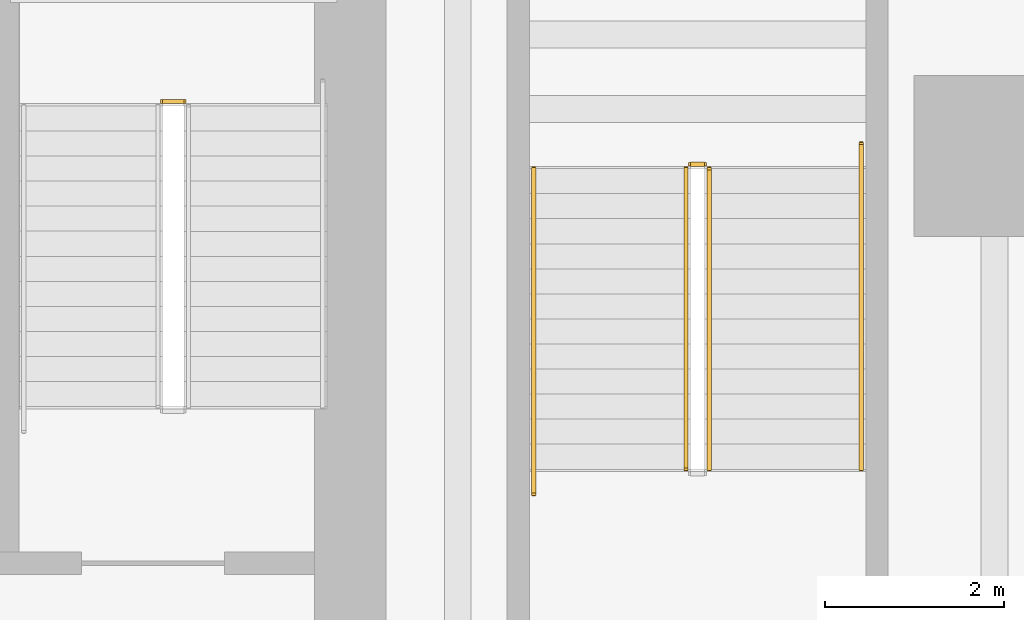
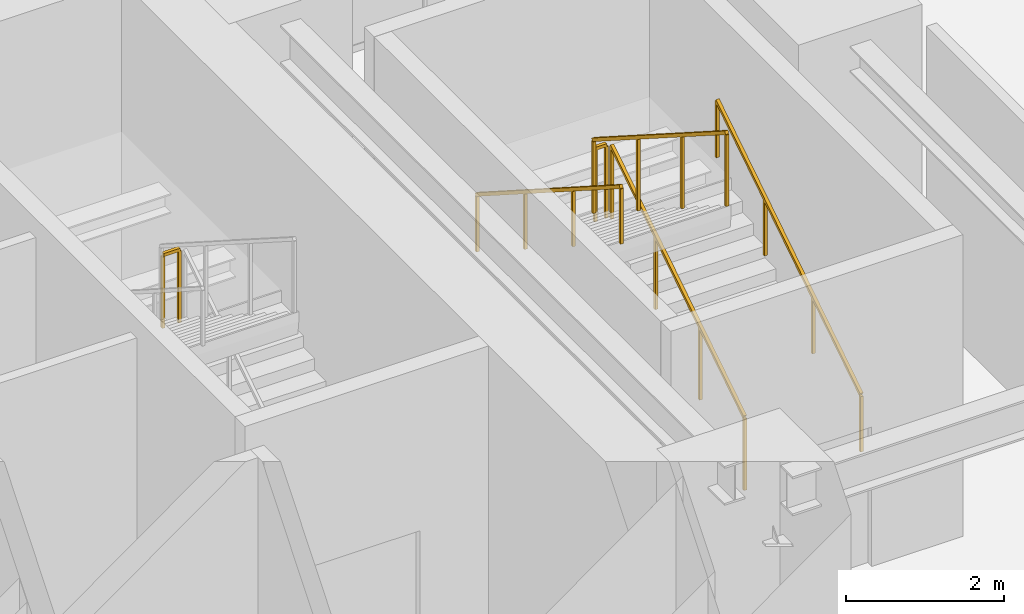
# One storey, part 16 of 17: 6 railings.
"""IFC4 building model written with IfcOpenShell, lengths in metres."""

from ifc_helpers import new_model, si_unit, direction, frame, origin, origin_2d, place, context, subcontext, project, spatial, rectangle, extrude, material, type_object, element, save


model = new_model("IFC4")

# Units and contexts
model_context = context("Model", 3, precision=1e-05, world=origin(), true_north=direction((0.0, 1.0)))
body_context = subcontext(model_context, "Body", "Model", "MODEL_VIEW")
ifc_project = project(units=[si_unit("LENGTHUNIT", "METRE"), si_unit("AREAUNIT", "SQUARE_METRE"), si_unit("VOLUMEUNIT", "CUBIC_METRE"), si_unit("PLANEANGLEUNIT", "RADIAN"), si_unit("MASSUNIT", "GRAM", prefix="KILO")], contexts=[model_context])

# Site, building, storey
site_placement = place(None, origin())
site = spatial("IfcSite", under=ifc_project, at=site_placement, CompositionType="ELEMENT")
building_placement = place(site_placement, origin())
building = spatial("IfcBuilding", under=site, at=building_placement, Name="Sumidabori Civic Tower", CompositionType="ELEMENT")
storey_placement = place(building_placement, frame((0.0, 0.0, 5.0)))
storey = spatial("IfcBuildingStorey", under=building, at=storey_placement, Name="L01", CompositionType="ELEMENT", Elevation=5.0)

# Railings
ifc_material_1 = material(Name="Stainless Steel Hairline Finish", Category="steel")
railing_type_1 = type_object("IfcRailingType", Name="RL-HANDRAIL", PredefinedType="HANDRAIL", material=ifc_material_1)
railing_1_placement = place(storey_placement, frame((21.31005859375, 15.300048828125, 0.178955078125)))
element("IfcRailing", 1, at=railing_1_placement, inside=storey, type_object=railing_type_1, Name="L01 ST-4 stair handrail 1", PredefinedType="HANDRAIL", context=body_context, shape_type="SweptSolid", body=[
    extrude(rectangle(XDim=0.048095703125, YDim=0.048095703125, at=origin_2d()), frame((0.0, 0.0, 0.8759765625), z_axis=(0.0, 0.842367842277, 0.538902976701), x_axis=(-1.0, 0.0, 0.0)), (0.0, 0.0, 1.0), 4.321044921875),
    extrude(rectangle(XDim=0.0419921875, YDim=0.0419921875, at=origin_2d()), origin(), (0.0, 0.0, 1.0), 0.851806640625),
    extrude(rectangle(XDim=0.0419921875, YDim=0.0419921875, at=origin_2d()), frame((0.0, 1.21337890625, 0.776123046875)), (0.0, 0.0, 1.0), 0.851806640625),
    extrude(rectangle(XDim=0.0419921875, YDim=0.0419921875, at=origin_2d()), frame((0.0, 2.426513671875, 1.552490234375)), (0.0, 0.0, 1.0), 0.851806640625),
    extrude(rectangle(XDim=0.0419921875, YDim=0.0419921875, at=origin_2d()), frame((0.0, 3.639892578125, 2.32861328125)), (0.0, 0.0, 1.0), 0.851806640625),
])
railing_2_placement = place(storey_placement, frame((17.64990234375, 18.659912109375, 2.50390625)))
element("IfcRailing", 2, at=railing_2_placement, inside=storey, type_object=railing_type_1, Name="L01 ST-4 stair handrail 2", PredefinedType="HANDRAIL", context=body_context, shape_type="SweptSolid", body=[
    extrude(rectangle(XDim=0.048095703125, YDim=0.048095703125, at=origin_2d()), frame((0.0, 0.0, 0.8759765625), z_axis=(0.0, -0.842367842277, 0.538902976701), x_axis=(1.0, 0.0, 0.0)), (0.0, 0.0, 1.0), 4.321044921875),
    extrude(rectangle(XDim=0.0419921875, YDim=0.0419921875, at=origin_2d()), origin(), (0.0, 0.0, 1.0), 0.851806640625),
    extrude(rectangle(XDim=0.0419921875, YDim=0.0419921875, at=origin_2d()), frame((0.0, -1.21337890625, 0.776123046875)), (0.0, 0.0, 1.0), 0.851806640625),
    extrude(rectangle(XDim=0.0419921875, YDim=0.0419921875, at=origin_2d()), frame((0.0, -2.426513671875, 1.552490234375)), (0.0, 0.0, 1.0), 0.851806640625),
    extrude(rectangle(XDim=0.0419921875, YDim=0.0419921875, at=origin_2d()), frame((0.0, -3.639892578125, 2.32861328125)), (0.0, 0.0, 1.0), 0.851806640625),
])
ifc_material_2 = material(Name="Steel SN490", Category="steel")
railing_type_2 = type_object("IfcRailingType", Name="RL-STAIR-GUARD", PredefinedType="GUARDRAIL", material=ifc_material_2)
railing_3_placement = place(storey_placement, frame((13.739990234375, 19.409912109375, 2.324951171875)))
element("IfcRailing", 3, at=railing_3_placement, inside=storey, type_object=railing_type_2, Name="L01 ST-2 stair guard 2", PredefinedType="GUARDRAIL", context=body_context, shape_type="SweptSolid", body=[
    extrude(rectangle(XDim=0.048095703125, YDim=0.048095703125, at=origin_2d()), frame((0.0, 0.0, 1.1259765625), z_axis=(-1.0, 0.0, 0.0), x_axis=(0.0, -1.0, 0.0)), (0.0, 0.0, 1.0), 0.239990234375),
    extrude(rectangle(XDim=0.0419921875, YDim=0.0419921875, at=origin_2d()), origin(), (0.0, 0.0, 1.0), 1.101806640625),
    extrude(rectangle(XDim=0.0419921875, YDim=0.0419921875, at=origin_2d()), frame((-0.239990234375, 0.0, 0.0)), (0.0, 0.0, 1.0), 1.101806640625),
])
railing_4_placement = place(storey_placement, frame((19.610107421875, 15.300048828125, 0.178955078125)))
element("IfcRailing", 4, at=railing_4_placement, inside=storey, type_object=railing_type_2, Name="L01 ST-4 stair guard 1", PredefinedType="GUARDRAIL", context=body_context, shape_type="SweptSolid", body=[
    extrude(rectangle(XDim=0.048095703125, YDim=0.048095703125, at=origin_2d()), frame((0.0, 0.0, 1.1259765625), z_axis=(0.0, 0.842762625749, 0.538285385869), x_axis=(-1.0, 0.0, 0.0)), (0.0, 0.0, 1.0), 3.98681640625),
    extrude(rectangle(XDim=0.0419921875, YDim=0.0419921875, at=origin_2d()), origin(), (0.0, 0.0, 1.0), 1.101806640625),
    extrude(rectangle(XDim=0.0419921875, YDim=0.0419921875, at=origin_2d()), frame((0.0, 1.119873046875, 0.71533203125)), (0.0, 0.0, 1.0), 1.101806640625),
    extrude(rectangle(XDim=0.0419921875, YDim=0.0419921875, at=origin_2d()), frame((0.0, 2.239990234375, 1.4306640625)), (0.0, 0.0, 1.0), 1.101806640625),
    extrude(rectangle(XDim=0.0419921875, YDim=0.0419921875, at=origin_2d()), frame((0.0, 3.35986328125, 2.14599609375)), (0.0, 0.0, 1.0), 1.101806640625),
])
railing_5_placement = place(storey_placement, frame((19.56005859375, 18.7099609375, 2.324951171875)))
element("IfcRailing", 5, at=railing_5_placement, inside=storey, type_object=railing_type_2, Name="L01 ST-4 stair guard 2", PredefinedType="GUARDRAIL", context=body_context, shape_type="SweptSolid", body=[
    extrude(rectangle(XDim=0.048095703125, YDim=0.048095703125, at=origin_2d()), frame((0.0, 0.0, 1.1259765625), z_axis=(-1.0, 0.0, 0.0), x_axis=(0.0, -1.0, 0.0)), (0.0, 0.0, 1.0), 0.16015625),
    extrude(rectangle(XDim=0.0419921875, YDim=0.0419921875, at=origin_2d()), origin(), (0.0, 0.0, 1.0), 1.101806640625),
    extrude(rectangle(XDim=0.0419921875, YDim=0.0419921875, at=origin_2d()), frame((-0.16015625, 0.0, 0.0)), (0.0, 0.0, 1.0), 1.101806640625),
])
railing_6_placement = place(storey_placement, frame((19.35009765625, 18.659912109375, 2.50390625)))
element("IfcRailing", 6, at=railing_6_placement, inside=storey, type_object=railing_type_2, Name="L01 ST-4 stair guard 3", PredefinedType="GUARDRAIL", context=body_context, shape_type="SweptSolid", body=[
    extrude(rectangle(XDim=0.048095703125, YDim=0.048095703125, at=origin_2d()), frame((0.0, 0.0, 1.1259765625), z_axis=(0.0, -0.842762625749, 0.538285385869), x_axis=(1.0, 0.0, 0.0)), (0.0, 0.0, 1.0), 3.98681640625),
    extrude(rectangle(XDim=0.0419921875, YDim=0.0419921875, at=origin_2d()), origin(), (0.0, 0.0, 1.0), 1.101806640625),
    extrude(rectangle(XDim=0.0419921875, YDim=0.0419921875, at=origin_2d()), frame((0.0, -1.119873046875, 0.71533203125)), (0.0, 0.0, 1.0), 1.101806640625),
    extrude(rectangle(XDim=0.0419921875, YDim=0.0419921875, at=origin_2d()), frame((0.0, -2.239990234375, 1.4306640625)), (0.0, 0.0, 1.0), 1.101806640625),
    extrude(rectangle(XDim=0.0419921875, YDim=0.0419921875, at=origin_2d()), frame((0.0, -3.35986328125, 2.14599609375)), (0.0, 0.0, 1.0), 1.101806640625),
])

save(model, "model.ifc")
